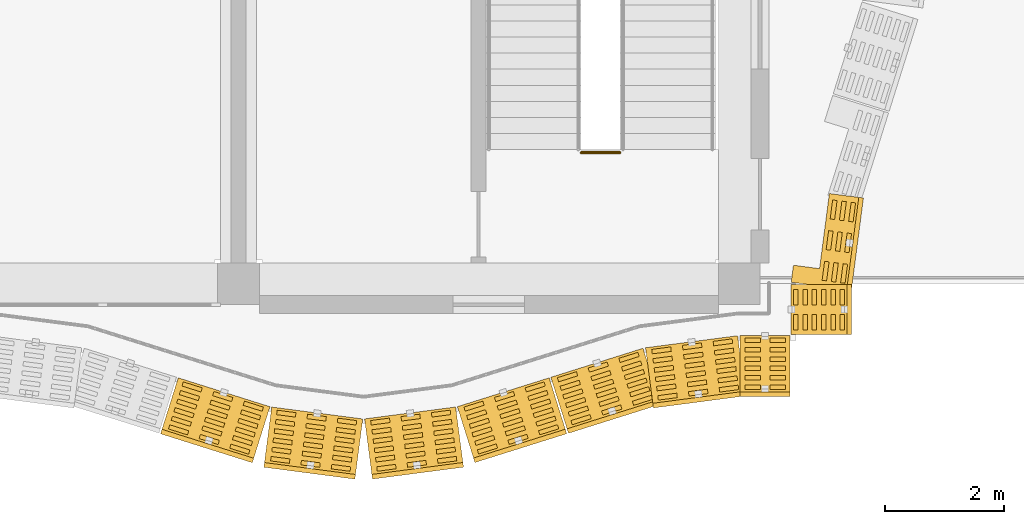
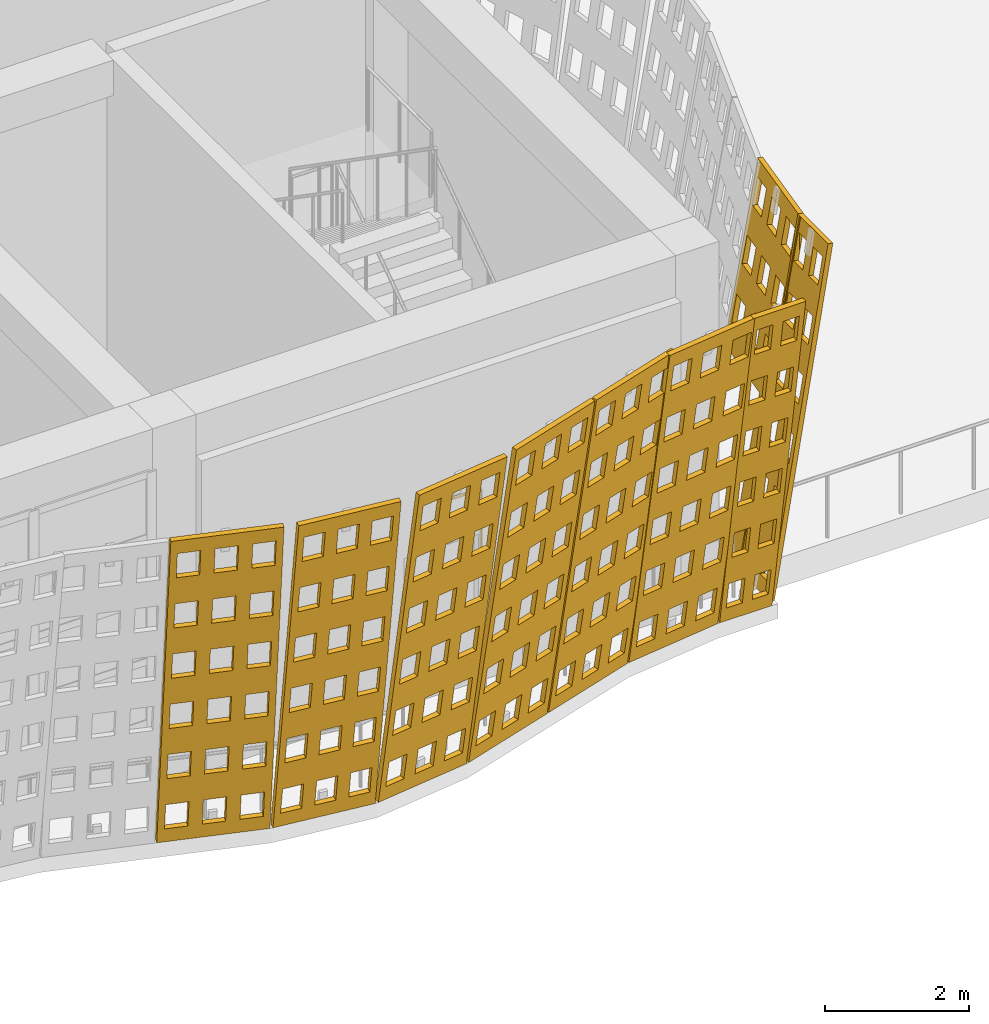
# One storey, part 154 of 210: 9 coverings, 1 railing.
"""IFC4 building model written with IfcOpenShell, lengths in metres."""

import ifcopenshell
import ifcopenshell.guid

model = None  # the IFC model being written
_history = None  # IfcOwnerHistory: only IFC2X3 demands one
_inside = {}  # id of a spatial element -> (the spatial element, [elements in it])
_under = {}  # id of a project, library or spatial element -> (it, [spatial elements below it])
_declared = {}  # id of a project -> (the project, [libraries it declares])
_typed = {}  # id of a type object -> (the type object, [elements of that type])
_made_of = {}  # id of a material, layer set ... -> (it, [elements and type objects made of it])


def new_model(schema):
    """Start an empty IFC model of exactly this schema.

    Asked for "IFC4X3", IfcOpenShell would pick the latest addendum, in which some entities
    have other attributes; the version numbers below select the first issue.
    IFC2X3 requires an IfcOwnerHistory on every rooted entity: one is made here for all.
    """
    global model, _history
    if schema == "IFC4X3":
        model = ifcopenshell.file(schema_version=(4, 3, 0, 0))
    else:
        model = ifcopenshell.file(schema=schema)
    _inside.clear()
    _under.clear()
    _declared.clear()
    _typed.clear()
    _made_of.clear()
    _history = None
    if model.schema == "IFC2X3":
        org = make("IfcOrganization", Name="unknown")
        user = make(
            "IfcPersonAndOrganization",
            ThePerson=make("IfcPerson", FamilyName="unknown"),
            TheOrganization=org,
        )
        app = make(
            "IfcApplication",
            ApplicationDeveloper=org,
            Version="unknown",
            ApplicationFullName="unknown",
            ApplicationIdentifier="unknown",
        )
        _history = make(
            "IfcOwnerHistory",
            OwningUser=user,
            OwningApplication=app,
            ChangeAction="ADDED",
            CreationDate=0,
        )
    return model


def make(cls, **values):
    """One entity of the class cls with the attributes given. An attribute that is None is left unset."""
    return model.create_entity(
        cls, **{name: value for name, value in values.items() if value is not None}
    )


def rooted(cls, **values):
    """An entity with a GlobalId (a new one), such as an element, a storey or a relation."""
    return make(cls, GlobalId=ifcopenshell.guid.new(), OwnerHistory=_history, **values)


def si_unit(unit_type, name, prefix=None):
    """IfcSIUnit, for example si_unit("LENGTHUNIT", "METRE", prefix="MILLI")."""
    return make("IfcSIUnit", UnitType=unit_type, Prefix=prefix, Name=name)


def assignment(units):
    """IfcUnitAssignment: the units of a project."""
    return None if units is None else make("IfcUnitAssignment", Units=units)


def point(xyz):
    """IfcCartesianPoint."""
    return None if xyz is None else make("IfcCartesianPoint", Coordinates=xyz)


def direction(xyz):
    """IfcDirection."""
    return None if xyz is None else make("IfcDirection", DirectionRatios=xyz)


def frame(location, z_axis=None, x_axis=None):
    """IfcAxis2Placement3D, a coordinate frame: its origin and axes. An axis left out is left unset."""
    return make(
        "IfcAxis2Placement3D",
        Location=point(location),
        Axis=direction(z_axis),
        RefDirection=direction(x_axis),
    )


def frame_2d(location, x_axis=None):
    """IfcAxis2Placement2D, a coordinate frame in the plane: its origin and x axis."""
    return make(
        "IfcAxis2Placement2D", Location=point(location), RefDirection=direction(x_axis)
    )


def origin():
    """The frame at (0, 0, 0) with its axes left unset."""
    return frame((0.0, 0.0, 0.0))


def origin_2d():
    """The frame at (0, 0) in the plane with its x axis left unset."""
    return frame_2d((0.0, 0.0))


def place(relative_to, where):
    """IfcLocalPlacement: puts the frame where relative to a parent placement (None: the world)."""
    return make(
        "IfcLocalPlacement", PlacementRelTo=relative_to, RelativePlacement=where
    )


def context(
    kind, dimensions, precision=None, world=None, true_north=None, identifier=None
):
    """IfcGeometricRepresentationContext, for example the 3D "Model" context."""
    return make(
        "IfcGeometricRepresentationContext",
        ContextIdentifier=identifier,
        ContextType=kind,
        CoordinateSpaceDimension=dimensions,
        Precision=precision,
        WorldCoordinateSystem=world,
        TrueNorth=true_north,
    )


def subcontext(parent, identifier, kind, view, scale=None):
    """IfcGeometricRepresentationSubContext, for example "Body" below "Model"."""
    return make(
        "IfcGeometricRepresentationSubContext",
        ContextIdentifier=identifier,
        ContextType=kind,
        ParentContext=parent,
        TargetScale=scale,
        TargetView=view,
    )


def project(units=None, contexts=None):
    """IfcProject with its units and contexts."""
    return rooted(
        "IfcProject",
        Name="project",
        RepresentationContexts=contexts,
        UnitsInContext=assignment(units),
    )


def spatial(cls, under=None, at=None, **own):
    """A site, building, storey or space (cls), placed at a placement, below another one or the project."""
    s = rooted(cls, ObjectPlacement=at, **own)
    if under is not None:
        _under.setdefault(under.id(), (under, []))[1].append(s)
    return s


def polyline(points):
    """IfcPolyline through the points."""
    return make("IfcPolyline", Points=[point(p) for p in points])


def profile(cls, at=None, kind="AREA", **sizes):
    """A parametric profile (cls). Its sizes go by their IFC names, for example OverallWidth=200.0."""
    return make(cls, ProfileType=kind, Position=at, **sizes)


def circle(**sizes):
    """IfcCircleProfileDef."""
    return profile("IfcCircleProfileDef", **sizes)


def outline(outer, holes=None, kind="AREA"):
    """IfcArbitraryClosedProfileDef: a profile drawn as a closed curve; with holes, ...WithVoids."""
    if holes is None:
        return make("IfcArbitraryClosedProfileDef", ProfileType=kind, OuterCurve=outer)
    return make(
        "IfcArbitraryProfileDefWithVoids",
        ProfileType=kind,
        OuterCurve=outer,
        InnerCurves=holes,
    )


def extrude(swept, where, along, depth):
    """IfcExtrudedAreaSolid: the profile swept, set in the frame where, extruded along a direction by depth."""
    return make(
        "IfcExtrudedAreaSolid",
        SweptArea=swept,
        Position=where,
        ExtrudedDirection=direction(along),
        Depth=depth,
    )


def shape(context_of_items, identifier, shape_type, items):
    """IfcShapeRepresentation: the items that make up one representation, for example the "Body"."""
    return make(
        "IfcShapeRepresentation",
        ContextOfItems=context_of_items,
        RepresentationIdentifier=identifier,
        RepresentationType=shape_type,
        Items=items,
    )


def material(Name=None, Category=None):
    """IfcMaterial."""
    return make("IfcMaterial", Name=Name, Category=Category)


def layer(
    of_material, thickness, ventilated=None, Name=None, Category=None, Priority=None
):
    """IfcMaterialLayer: one layer of a wall or slab, of a material (None: an air gap)."""
    return make(
        "IfcMaterialLayer",
        Material=of_material,
        LayerThickness=thickness,
        IsVentilated=ventilated,
        Name=Name,
        Category=Category,
        Priority=Priority,
    )


def layer_set(layers, Name=None):
    """IfcMaterialLayerSet."""
    return make("IfcMaterialLayerSet", MaterialLayers=layers, LayerSetName=Name)


def made_of(thing, what):
    """Note that an element or type object is made of a material, layer set ...; save() writes the relation."""
    if what is not None:
        _made_of.setdefault(what.id(), (what, []))[1].append(thing)
    return thing


def type_object(cls, material=None, **own):
    """A type object (cls), such as IfcWallType, which elements share."""
    return made_of(rooted(cls, **own), material)


def element(
    cls,
    number,
    at=None,
    inside=None,
    cuts=None,
    type_object=None,
    material=None,
    context=None,
    identifier="Body",
    shape_type=None,
    held_by="IfcProductDefinitionShape",
    body=None,
    shapes=None,
    **own,
):
    """One element of the class cls, such as IfcWall. Its Tag is "e" and its number.

    at: its placement. inside: the storey or other place that contains it. cuts: it is an
    opening in that element (IfcRelVoidsElement). A single representation is given by context,
    identifier, shape_type and body (its items); several are given by shapes. held_by: the class
    of the entity that holds the representations. save() writes the other relations.
    """
    e = rooted(cls, Tag="e%d" % number, ObjectPlacement=at, **own)
    if body is not None:
        shapes = [shape(context, identifier, shape_type, body)]
    if shapes is not None:
        e.Representation = make(held_by, Representations=shapes)
    if inside is not None:
        _inside.setdefault(inside.id(), (inside, []))[1].append(e)
    if cuts is not None:
        rooted(
            "IfcRelVoidsElement", RelatingBuildingElement=cuts, RelatedOpeningElement=e
        )
    if type_object is not None:
        _typed.setdefault(type_object.id(), (type_object, []))[1].append(e)
    return made_of(e, material)


def aggregate(whole, parts):
    """IfcRelAggregates: a whole, such as a stair, and the parts it consists of."""
    return rooted("IfcRelAggregates", RelatingObject=whole, RelatedObjects=parts)


def save(model, path):
    """Write the relations noted so far, then the file.

    IfcRelAggregates (storeys below a building ...), IfcRelContainedInSpatialStructure (elements
    in a storey), IfcRelDefinesByType, IfcRelAssociatesMaterial and IfcRelDeclares: one each for
    every whole, place, type object, material and project.
    """
    for whole, parts in _under.values():
        aggregate(whole, parts)
    for where, things in _inside.values():
        rooted(
            "IfcRelContainedInSpatialStructure",
            RelatedElements=things,
            RelatingStructure=where,
        )
    for kind, things in _typed.values():
        rooted("IfcRelDefinesByType", RelatedObjects=things, RelatingType=kind)
    for what, things in _made_of.values():
        rooted("IfcRelAssociatesMaterial", RelatedObjects=things, RelatingMaterial=what)
    for by, libraries in _declared.values():
        rooted("IfcRelDeclares", RelatingContext=by, RelatedDefinitions=libraries)
    model.write(path)


model = new_model("IFC4")

# Units and contexts
model_context = context("Model", 3, precision=1e-05, world=origin(), true_north=direction((0.0, 1.0)))
body_context = subcontext(model_context, "Body", "Model", "MODEL_VIEW")
ifc_project = project(units=[si_unit("LENGTHUNIT", "METRE"), si_unit("AREAUNIT", "SQUARE_METRE"), si_unit("VOLUMEUNIT", "CUBIC_METRE"), si_unit("PLANEANGLEUNIT", "RADIAN"), si_unit("MASSUNIT", "GRAM", prefix="KILO")], contexts=[model_context])

# Site, building, storey
site_placement = place(None, origin())
site = spatial("IfcSite", under=ifc_project, at=site_placement, CompositionType="ELEMENT")
building_placement = place(site_placement, origin())
building = spatial("IfcBuilding", under=site, at=building_placement, Name="Rain Tree Exposition and Congress Centre", CompositionType="ELEMENT")
storey_placement = place(building_placement, origin())
storey = spatial("IfcBuildingStorey", under=building, at=storey_placement, Name="L00", CompositionType="ELEMENT", Elevation=0.0)

# Coverings
ifc_material_1 = material(Name="Perforated terracotta", Category="masonry")
ifc_layer = layer(ifc_material_1, 0.080078125)
ifc_layer_set = layer_set([ifc_layer], Name="Perforated terracotta")
covering_type = type_object("IfcCoveringType", Name="Terracotta screen 80", PredefinedType="CLADDING", material=ifc_layer_set)
covering_1_placement = place(storey_placement, frame((40.949951171875, -1.64990234375, 0.0), z_axis=(0.296712403937, 0.94213835477, 0.156003428874), x_axis=(-0.953816392794, 0.300390227601, 0.0)))
element("IfcCovering", 1, at=covering_1_placement, inside=storey, type_object=covering_type, Name="wing/screen/L00/027", PredefinedType="CLADDING", context=body_context, shape_type="SweptSolid", body=[
    extrude(outline(polyline([(-1.62890625, 0.0), (-1.62890625, 5.808349609375), (-0.014892578125, 5.808349609375), (-0.014892578125, 0.0), (-1.62890625, 0.0)]), holes=[polyline([(-0.1171875, 0.249755859375), (-0.1171875, 0.71826171875), (-0.45068359375, 0.71826171875), (-0.45068359375, 0.249755859375), (-0.1171875, 0.249755859375)]), polyline([(-0.1171875, 1.218017578125), (-0.1171875, 1.686279296875), (-0.45068359375, 1.686279296875), (-0.45068359375, 1.218017578125), (-0.1171875, 1.218017578125)]), polyline([(-0.1171875, 2.18603515625), (-0.1171875, 2.654296875), (-0.45068359375, 2.654296875), (-0.45068359375, 2.18603515625), (-0.1171875, 2.18603515625)]), polyline([(-0.1171875, 3.154052734375), (-0.1171875, 3.62255859375), (-0.45068359375, 3.62255859375), (-0.45068359375, 3.154052734375), (-0.1171875, 3.154052734375)]), polyline([(-0.1171875, 4.1220703125), (-0.1171875, 4.590576171875), (-0.45068359375, 4.590576171875), (-0.45068359375, 4.1220703125), (-0.1171875, 4.1220703125)]), polyline([(-0.1171875, 5.090087890625), (-0.1171875, 5.55859375), (-0.45068359375, 5.55859375), (-0.45068359375, 5.090087890625), (-0.1171875, 5.090087890625)]), polyline([(-0.6552734375, 0.249755859375), (-0.6552734375, 0.71826171875), (-0.98876953125, 0.71826171875), (-0.98876953125, 0.249755859375), (-0.6552734375, 0.249755859375)]), polyline([(-0.6552734375, 1.218017578125), (-0.6552734375, 1.686279296875), (-0.98876953125, 1.686279296875), (-0.98876953125, 1.218017578125), (-0.6552734375, 1.218017578125)]), polyline([(-0.6552734375, 2.18603515625), (-0.6552734375, 2.654296875), (-0.98876953125, 2.654296875), (-0.98876953125, 2.18603515625), (-0.6552734375, 2.18603515625)]), polyline([(-0.6552734375, 3.154052734375), (-0.6552734375, 3.62255859375), (-0.98876953125, 3.62255859375), (-0.98876953125, 3.154052734375), (-0.6552734375, 3.154052734375)]), polyline([(-0.6552734375, 4.1220703125), (-0.6552734375, 4.590576171875), (-0.98876953125, 4.590576171875), (-0.98876953125, 4.1220703125), (-0.6552734375, 4.1220703125)]), polyline([(-0.6552734375, 5.090087890625), (-0.6552734375, 5.55859375), (-0.98876953125, 5.55859375), (-0.98876953125, 5.090087890625), (-0.6552734375, 5.090087890625)]), polyline([(-1.193115234375, 0.249755859375), (-1.193115234375, 0.71826171875), (-1.526611328125, 0.71826171875), (-1.526611328125, 0.249755859375), (-1.193115234375, 0.249755859375)]), polyline([(-1.193115234375, 1.218017578125), (-1.193115234375, 1.686279296875), (-1.526611328125, 1.686279296875), (-1.526611328125, 1.218017578125), (-1.193115234375, 1.218017578125)]), polyline([(-1.193115234375, 2.18603515625), (-1.193115234375, 2.654296875), (-1.526611328125, 2.654296875), (-1.526611328125, 2.18603515625), (-1.193115234375, 2.18603515625)]), polyline([(-1.193115234375, 3.154052734375), (-1.193115234375, 3.62255859375), (-1.526611328125, 3.62255859375), (-1.526611328125, 3.154052734375), (-1.193115234375, 3.154052734375)]), polyline([(-1.193115234375, 4.1220703125), (-1.193115234375, 4.590576171875), (-1.526611328125, 4.590576171875), (-1.526611328125, 4.1220703125), (-1.193115234375, 4.1220703125)]), polyline([(-1.193115234375, 5.090087890625), (-1.193115234375, 5.55859375), (-1.526611328125, 5.55859375), (-1.526611328125, 5.090087890625), (-1.193115234375, 5.090087890625)])]), origin(), (0.0, 0.0, 1.0), 0.079833984375),
])
covering_2_placement = place(storey_placement, frame((42.52490234375, -2.14501953125, 0.0), z_axis=(0.1280309309, 0.978522114732, 0.161562841373), x_axis=(-0.991548658387, 0.129735338481, 0.0)))
element("IfcCovering", 2, at=covering_2_placement, inside=storey, type_object=covering_type, Name="wing/screen/L00/028", PredefinedType="CLADDING", context=body_context, shape_type="SweptSolid", body=[
    extrude(outline(polyline([(-1.56298828125, 0.0), (-1.56298828125, 5.813720703125), (-0.02197265625, 5.813720703125), (-0.02197265625, 0.0), (-1.56298828125, 0.0)]), holes=[polyline([(-0.11962890625, 0.25), (-0.11962890625, 0.718994140625), (-0.43798828125, 0.718994140625), (-0.43798828125, 0.25), (-0.11962890625, 0.25)]), polyline([(-0.11962890625, 1.218994140625), (-0.11962890625, 1.687744140625), (-0.43798828125, 1.687744140625), (-0.43798828125, 1.218994140625), (-0.11962890625, 1.218994140625)]), polyline([(-0.11962890625, 2.18798828125), (-0.11962890625, 2.65673828125), (-0.43798828125, 2.65673828125), (-0.43798828125, 2.18798828125), (-0.11962890625, 2.18798828125)]), polyline([(-0.11962890625, 3.15673828125), (-0.11962890625, 3.625732421875), (-0.43798828125, 3.625732421875), (-0.43798828125, 3.15673828125), (-0.11962890625, 3.15673828125)]), polyline([(-0.11962890625, 4.125732421875), (-0.11962890625, 4.594482421875), (-0.43798828125, 4.594482421875), (-0.43798828125, 4.125732421875), (-0.11962890625, 4.125732421875)]), polyline([(-0.11962890625, 5.0947265625), (-0.11962890625, 5.5634765625), (-0.43798828125, 5.5634765625), (-0.43798828125, 5.0947265625), (-0.11962890625, 5.0947265625)]), polyline([(-0.63330078125, 0.25), (-0.63330078125, 0.718994140625), (-0.95166015625, 0.718994140625), (-0.95166015625, 0.25), (-0.63330078125, 0.25)]), polyline([(-0.63330078125, 1.218994140625), (-0.63330078125, 1.687744140625), (-0.95166015625, 1.687744140625), (-0.95166015625, 1.218994140625), (-0.63330078125, 1.218994140625)]), polyline([(-0.63330078125, 2.18798828125), (-0.63330078125, 2.65673828125), (-0.95166015625, 2.65673828125), (-0.95166015625, 2.18798828125), (-0.63330078125, 2.18798828125)]), polyline([(-0.63330078125, 3.15673828125), (-0.63330078125, 3.625732421875), (-0.95166015625, 3.625732421875), (-0.95166015625, 3.15673828125), (-0.63330078125, 3.15673828125)]), polyline([(-0.63330078125, 4.125732421875), (-0.63330078125, 4.594482421875), (-0.95166015625, 4.594482421875), (-0.95166015625, 4.125732421875), (-0.63330078125, 4.125732421875)]), polyline([(-0.63330078125, 5.0947265625), (-0.63330078125, 5.5634765625), (-0.95166015625, 5.5634765625), (-0.95166015625, 5.0947265625), (-0.63330078125, 5.0947265625)]), polyline([(-1.146728515625, 0.25), (-1.146728515625, 0.718994140625), (-1.46533203125, 0.718994140625), (-1.46533203125, 0.25), (-1.146728515625, 0.25)]), polyline([(-1.146728515625, 1.218994140625), (-1.146728515625, 1.687744140625), (-1.46533203125, 1.687744140625), (-1.46533203125, 1.218994140625), (-1.146728515625, 1.218994140625)]), polyline([(-1.146728515625, 2.18798828125), (-1.146728515625, 2.65673828125), (-1.46533203125, 2.65673828125), (-1.46533203125, 2.18798828125), (-1.146728515625, 2.18798828125)]), polyline([(-1.146728515625, 3.15673828125), (-1.146728515625, 3.625732421875), (-1.46533203125, 3.625732421875), (-1.46533203125, 3.15673828125), (-1.146728515625, 3.15673828125)]), polyline([(-1.146728515625, 4.125732421875), (-1.146728515625, 4.594482421875), (-1.46533203125, 4.594482421875), (-1.46533203125, 4.125732421875), (-1.146728515625, 4.125732421875)]), polyline([(-1.146728515625, 5.0947265625), (-1.146728515625, 5.5634765625), (-1.46533203125, 5.5634765625), (-1.46533203125, 5.0947265625), (-1.146728515625, 5.0947265625)])]), origin(), (0.0, 0.0, 1.0), 0.080078125),
])
covering_3_placement = place(storey_placement, frame((44.10009765625, -2.35009765625, 0.0), z_axis=(-0.1280309309, 0.978522114732, 0.161562841373), x_axis=(-0.991548658387, -0.129735338481, 0.0)))
element("IfcCovering", 3, at=covering_3_placement, inside=storey, type_object=covering_type, Name="wing/screen/L00/029", PredefinedType="CLADDING", context=body_context, shape_type="SweptSolid", body=[
    extrude(outline(polyline([(-1.56640625, 0.0), (-1.56640625, 5.813720703125), (-0.025390625, 5.813720703125), (-0.025390625, 0.0), (-1.56640625, 0.0)]), holes=[polyline([(-0.123046875, 0.25), (-0.123046875, 0.718994140625), (-0.44140625, 0.718994140625), (-0.44140625, 0.25), (-0.123046875, 0.25)]), polyline([(-0.123046875, 1.218994140625), (-0.123046875, 1.687744140625), (-0.44140625, 1.687744140625), (-0.44140625, 1.218994140625), (-0.123046875, 1.218994140625)]), polyline([(-0.123046875, 2.18798828125), (-0.123046875, 2.65673828125), (-0.44140625, 2.65673828125), (-0.44140625, 2.18798828125), (-0.123046875, 2.18798828125)]), polyline([(-0.123046875, 3.15673828125), (-0.123046875, 3.625732421875), (-0.44140625, 3.625732421875), (-0.44140625, 3.15673828125), (-0.123046875, 3.15673828125)]), polyline([(-0.123046875, 4.125732421875), (-0.123046875, 4.594482421875), (-0.44140625, 4.594482421875), (-0.44140625, 4.125732421875), (-0.123046875, 4.125732421875)]), polyline([(-0.123046875, 5.0947265625), (-0.123046875, 5.5634765625), (-0.44140625, 5.5634765625), (-0.44140625, 5.0947265625), (-0.123046875, 5.0947265625)]), polyline([(-0.63671875, 0.25), (-0.63671875, 0.718994140625), (-0.955078125, 0.718994140625), (-0.955078125, 0.25), (-0.63671875, 0.25)]), polyline([(-0.63671875, 1.218994140625), (-0.63671875, 1.687744140625), (-0.955078125, 1.687744140625), (-0.955078125, 1.218994140625), (-0.63671875, 1.218994140625)]), polyline([(-0.63671875, 2.18798828125), (-0.63671875, 2.65673828125), (-0.955078125, 2.65673828125), (-0.955078125, 2.18798828125), (-0.63671875, 2.18798828125)]), polyline([(-0.63671875, 3.15673828125), (-0.63671875, 3.625732421875), (-0.955078125, 3.625732421875), (-0.955078125, 3.15673828125), (-0.63671875, 3.15673828125)]), polyline([(-0.63671875, 4.125732421875), (-0.63671875, 4.594482421875), (-0.955078125, 4.594482421875), (-0.955078125, 4.125732421875), (-0.63671875, 4.125732421875)]), polyline([(-0.63671875, 5.0947265625), (-0.63671875, 5.5634765625), (-0.955078125, 5.5634765625), (-0.955078125, 5.0947265625), (-0.63671875, 5.0947265625)]), polyline([(-1.150146484375, 0.25), (-1.150146484375, 0.718994140625), (-1.46875, 0.718994140625), (-1.46875, 0.25), (-1.150146484375, 0.25)]), polyline([(-1.150146484375, 1.218994140625), (-1.150146484375, 1.687744140625), (-1.46875, 1.687744140625), (-1.46875, 1.218994140625), (-1.150146484375, 1.218994140625)]), polyline([(-1.150146484375, 2.18798828125), (-1.150146484375, 2.65673828125), (-1.46875, 2.65673828125), (-1.46875, 2.18798828125), (-1.150146484375, 2.18798828125)]), polyline([(-1.150146484375, 3.15673828125), (-1.150146484375, 3.625732421875), (-1.46875, 3.625732421875), (-1.46875, 3.15673828125), (-1.150146484375, 3.15673828125)]), polyline([(-1.150146484375, 4.125732421875), (-1.150146484375, 4.594482421875), (-1.46875, 4.594482421875), (-1.46875, 4.125732421875), (-1.150146484375, 4.125732421875)]), polyline([(-1.150146484375, 5.0947265625), (-1.150146484375, 5.5634765625), (-1.46875, 5.5634765625), (-1.46875, 5.0947265625), (-1.150146484375, 5.0947265625)])]), origin(), (0.0, 0.0, 1.0), 0.080078125),
])
covering_4_placement = place(storey_placement, frame((45.675048828125, -2.14501953125, 0.0), z_axis=(-0.295859611525, 0.942480618158, 0.155555053482), x_axis=(-0.954094597562, -0.29950542383, 0.0)))
element("IfcCovering", 4, at=covering_4_placement, inside=storey, type_object=covering_type, Name="wing/screen/L00/030", PredefinedType="CLADDING", context=body_context, shape_type="SweptSolid", body=[
    extrude(outline(polyline([(-1.635986328125, 0.0), (-1.635986328125, 5.808349609375), (-0.02197265625, 5.808349609375), (-0.02197265625, 0.0), (-1.635986328125, 0.0)]), holes=[polyline([(-0.124267578125, 0.249755859375), (-0.124267578125, 0.71826171875), (-0.457763671875, 0.71826171875), (-0.457763671875, 0.249755859375), (-0.124267578125, 0.249755859375)]), polyline([(-0.124267578125, 1.218017578125), (-0.124267578125, 1.686279296875), (-0.457763671875, 1.686279296875), (-0.457763671875, 1.218017578125), (-0.124267578125, 1.218017578125)]), polyline([(-0.124267578125, 2.18603515625), (-0.124267578125, 2.654296875), (-0.457763671875, 2.654296875), (-0.457763671875, 2.18603515625), (-0.124267578125, 2.18603515625)]), polyline([(-0.124267578125, 3.154052734375), (-0.124267578125, 3.62255859375), (-0.457763671875, 3.62255859375), (-0.457763671875, 3.154052734375), (-0.124267578125, 3.154052734375)]), polyline([(-0.124267578125, 4.1220703125), (-0.124267578125, 4.590576171875), (-0.457763671875, 4.590576171875), (-0.457763671875, 4.1220703125), (-0.124267578125, 4.1220703125)]), polyline([(-0.124267578125, 5.090087890625), (-0.124267578125, 5.55859375), (-0.457763671875, 5.55859375), (-0.457763671875, 5.090087890625), (-0.124267578125, 5.090087890625)]), polyline([(-0.662109375, 0.249755859375), (-0.662109375, 0.71826171875), (-0.995849609375, 0.71826171875), (-0.995849609375, 0.249755859375), (-0.662109375, 0.249755859375)]), polyline([(-0.662109375, 1.218017578125), (-0.662109375, 1.686279296875), (-0.995849609375, 1.686279296875), (-0.995849609375, 1.218017578125), (-0.662109375, 1.218017578125)]), polyline([(-0.662109375, 2.18603515625), (-0.662109375, 2.654296875), (-0.995849609375, 2.654296875), (-0.995849609375, 2.18603515625), (-0.662109375, 2.18603515625)]), polyline([(-0.662109375, 3.154052734375), (-0.662109375, 3.62255859375), (-0.995849609375, 3.62255859375), (-0.995849609375, 3.154052734375), (-0.662109375, 3.154052734375)]), polyline([(-0.662109375, 4.1220703125), (-0.662109375, 4.590576171875), (-0.995849609375, 4.590576171875), (-0.995849609375, 4.1220703125), (-0.662109375, 4.1220703125)]), polyline([(-0.662109375, 5.090087890625), (-0.662109375, 5.55859375), (-0.995849609375, 5.55859375), (-0.995849609375, 5.090087890625), (-0.662109375, 5.090087890625)]), polyline([(-1.2001953125, 0.249755859375), (-1.2001953125, 0.71826171875), (-1.53369140625, 0.71826171875), (-1.53369140625, 0.249755859375), (-1.2001953125, 0.249755859375)]), polyline([(-1.2001953125, 1.218017578125), (-1.2001953125, 1.686279296875), (-1.53369140625, 1.686279296875), (-1.53369140625, 1.218017578125), (-1.2001953125, 1.218017578125)]), polyline([(-1.2001953125, 2.18603515625), (-1.2001953125, 2.654296875), (-1.53369140625, 2.654296875), (-1.53369140625, 2.18603515625), (-1.2001953125, 2.18603515625)]), polyline([(-1.2001953125, 3.154052734375), (-1.2001953125, 3.62255859375), (-1.53369140625, 3.62255859375), (-1.53369140625, 3.154052734375), (-1.2001953125, 3.154052734375)]), polyline([(-1.2001953125, 4.1220703125), (-1.2001953125, 4.590576171875), (-1.53369140625, 4.590576171875), (-1.53369140625, 4.1220703125), (-1.2001953125, 4.1220703125)]), polyline([(-1.2001953125, 5.090087890625), (-1.2001953125, 5.55859375), (-1.53369140625, 5.55859375), (-1.53369140625, 5.090087890625), (-1.2001953125, 5.090087890625)])]), origin(), (0.0, 0.0, 1.0), 0.080078125),
])
covering_5_placement = place(storey_placement, frame((47.25, -1.64990234375, 0.0), z_axis=(-0.296712403937, 0.94213835477, 0.156003428874), x_axis=(-0.953816392794, -0.300390227601, 0.0)))
element("IfcCovering", 5, at=covering_5_placement, inside=storey, type_object=covering_type, Name="wing/screen/L00/031", PredefinedType="CLADDING", context=body_context, shape_type="SweptSolid", body=[
    extrude(outline(polyline([(-1.635986328125, 0.0), (-1.635986328125, 5.808349609375), (-0.014892578125, 5.808349609375), (-0.014892578125, 0.0), (-1.635986328125, 0.0)]), holes=[polyline([(-0.11767578125, 0.249755859375), (-0.11767578125, 0.71826171875), (-0.45263671875, 0.71826171875), (-0.45263671875, 0.249755859375), (-0.11767578125, 0.249755859375)]), polyline([(-0.11767578125, 1.218017578125), (-0.11767578125, 1.686279296875), (-0.45263671875, 1.686279296875), (-0.45263671875, 1.218017578125), (-0.11767578125, 1.218017578125)]), polyline([(-0.11767578125, 2.18603515625), (-0.11767578125, 2.654296875), (-0.45263671875, 2.654296875), (-0.45263671875, 2.18603515625), (-0.11767578125, 2.18603515625)]), polyline([(-0.11767578125, 3.154052734375), (-0.11767578125, 3.62255859375), (-0.45263671875, 3.62255859375), (-0.45263671875, 3.154052734375), (-0.11767578125, 3.154052734375)]), polyline([(-0.11767578125, 4.1220703125), (-0.11767578125, 4.590576171875), (-0.45263671875, 4.590576171875), (-0.45263671875, 4.1220703125), (-0.11767578125, 4.1220703125)]), polyline([(-0.11767578125, 5.090087890625), (-0.11767578125, 5.55859375), (-0.45263671875, 5.55859375), (-0.45263671875, 5.090087890625), (-0.11767578125, 5.090087890625)]), polyline([(-0.657958984375, 0.249755859375), (-0.657958984375, 0.71826171875), (-0.992919921875, 0.71826171875), (-0.992919921875, 0.249755859375), (-0.657958984375, 0.249755859375)]), polyline([(-0.657958984375, 1.218017578125), (-0.657958984375, 1.686279296875), (-0.992919921875, 1.686279296875), (-0.992919921875, 1.218017578125), (-0.657958984375, 1.218017578125)]), polyline([(-0.657958984375, 2.18603515625), (-0.657958984375, 2.654296875), (-0.992919921875, 2.654296875), (-0.992919921875, 2.18603515625), (-0.657958984375, 2.18603515625)]), polyline([(-0.657958984375, 3.154052734375), (-0.657958984375, 3.62255859375), (-0.992919921875, 3.62255859375), (-0.992919921875, 3.154052734375), (-0.657958984375, 3.154052734375)]), polyline([(-0.657958984375, 4.1220703125), (-0.657958984375, 4.590576171875), (-0.992919921875, 4.590576171875), (-0.992919921875, 4.1220703125), (-0.657958984375, 4.1220703125)]), polyline([(-0.657958984375, 5.090087890625), (-0.657958984375, 5.55859375), (-0.992919921875, 5.55859375), (-0.992919921875, 5.090087890625), (-0.657958984375, 5.090087890625)]), polyline([(-1.1982421875, 0.249755859375), (-1.1982421875, 0.71826171875), (-1.533203125, 0.71826171875), (-1.533203125, 0.249755859375), (-1.1982421875, 0.249755859375)]), polyline([(-1.1982421875, 1.218017578125), (-1.1982421875, 1.686279296875), (-1.533203125, 1.686279296875), (-1.533203125, 1.218017578125), (-1.1982421875, 1.218017578125)]), polyline([(-1.1982421875, 2.18603515625), (-1.1982421875, 2.654296875), (-1.533203125, 2.654296875), (-1.533203125, 2.18603515625), (-1.1982421875, 2.18603515625)]), polyline([(-1.1982421875, 3.154052734375), (-1.1982421875, 3.62255859375), (-1.533203125, 3.62255859375), (-1.533203125, 3.154052734375), (-1.1982421875, 3.154052734375)]), polyline([(-1.1982421875, 4.1220703125), (-1.1982421875, 4.590576171875), (-1.533203125, 4.590576171875), (-1.533203125, 4.1220703125), (-1.1982421875, 4.1220703125)]), polyline([(-1.1982421875, 5.090087890625), (-1.1982421875, 5.55859375), (-1.533203125, 5.55859375), (-1.533203125, 5.090087890625), (-1.1982421875, 5.090087890625)])]), origin(), (0.0, 0.0, 1.0), 0.079833984375),
])
covering_6_placement = place(storey_placement, frame((48.824951171875, -1.155029296875, 0.0), z_axis=(-0.1280309309, 0.978522114732, 0.161562841373), x_axis=(-0.991548658387, -0.129735338481, 0.0)))
element("IfcCovering", 6, at=covering_6_placement, inside=storey, type_object=covering_type, Name="wing/screen/L00/032", PredefinedType="CLADDING", context=body_context, shape_type="SweptSolid", body=[
    extrude(outline(polyline([(-1.5732421875, 0.0), (-1.5732421875, 5.813720703125), (-0.014892578125, 5.813720703125), (-0.014892578125, 0.0), (-1.5732421875, 0.0)]), holes=[polyline([(-0.11376953125, 0.25), (-0.11376953125, 0.718994140625), (-0.435791015625, 0.718994140625), (-0.435791015625, 0.25), (-0.11376953125, 0.25)]), polyline([(-0.11376953125, 1.218994140625), (-0.11376953125, 1.687744140625), (-0.435791015625, 1.687744140625), (-0.435791015625, 1.218994140625), (-0.11376953125, 1.218994140625)]), polyline([(-0.11376953125, 2.18798828125), (-0.11376953125, 2.65673828125), (-0.435791015625, 2.65673828125), (-0.435791015625, 2.18798828125), (-0.11376953125, 2.18798828125)]), polyline([(-0.11376953125, 3.15673828125), (-0.11376953125, 3.625732421875), (-0.435791015625, 3.625732421875), (-0.435791015625, 3.15673828125), (-0.11376953125, 3.15673828125)]), polyline([(-0.11376953125, 4.125732421875), (-0.11376953125, 4.594482421875), (-0.435791015625, 4.594482421875), (-0.435791015625, 4.125732421875), (-0.11376953125, 4.125732421875)]), polyline([(-0.11376953125, 5.0947265625), (-0.11376953125, 5.5634765625), (-0.435791015625, 5.5634765625), (-0.435791015625, 5.0947265625), (-0.11376953125, 5.0947265625)]), polyline([(-0.633056640625, 0.25), (-0.633056640625, 0.718994140625), (-0.955078125, 0.718994140625), (-0.955078125, 0.25), (-0.633056640625, 0.25)]), polyline([(-0.633056640625, 1.218994140625), (-0.633056640625, 1.687744140625), (-0.955078125, 1.687744140625), (-0.955078125, 1.218994140625), (-0.633056640625, 1.218994140625)]), polyline([(-0.633056640625, 2.18798828125), (-0.633056640625, 2.65673828125), (-0.955078125, 2.65673828125), (-0.955078125, 2.18798828125), (-0.633056640625, 2.18798828125)]), polyline([(-0.633056640625, 3.15673828125), (-0.633056640625, 3.625732421875), (-0.955078125, 3.625732421875), (-0.955078125, 3.15673828125), (-0.633056640625, 3.15673828125)]), polyline([(-0.633056640625, 4.125732421875), (-0.633056640625, 4.594482421875), (-0.955078125, 4.594482421875), (-0.955078125, 4.125732421875), (-0.633056640625, 4.125732421875)]), polyline([(-0.633056640625, 5.0947265625), (-0.633056640625, 5.5634765625), (-0.955078125, 5.5634765625), (-0.955078125, 5.0947265625), (-0.633056640625, 5.0947265625)]), polyline([(-1.152587890625, 0.25), (-1.152587890625, 0.718994140625), (-1.474609375, 0.718994140625), (-1.474609375, 0.25), (-1.152587890625, 0.25)]), polyline([(-1.152587890625, 1.218994140625), (-1.152587890625, 1.687744140625), (-1.474609375, 1.687744140625), (-1.474609375, 1.218994140625), (-1.152587890625, 1.218994140625)]), polyline([(-1.152587890625, 2.18798828125), (-1.152587890625, 2.65673828125), (-1.474609375, 2.65673828125), (-1.474609375, 2.18798828125), (-1.152587890625, 2.18798828125)]), polyline([(-1.152587890625, 3.15673828125), (-1.152587890625, 3.625732421875), (-1.474609375, 3.625732421875), (-1.474609375, 3.15673828125), (-1.152587890625, 3.15673828125)]), polyline([(-1.152587890625, 4.125732421875), (-1.152587890625, 4.594482421875), (-1.474609375, 4.594482421875), (-1.474609375, 4.125732421875), (-1.152587890625, 4.125732421875)]), polyline([(-1.152587890625, 5.0947265625), (-1.152587890625, 5.5634765625), (-1.474609375, 5.5634765625), (-1.474609375, 5.0947265625), (-1.152587890625, 5.0947265625)])]), origin(), (0.0, 0.0, 1.0), 0.080078125),
])
covering_7_placement = place(storey_placement, frame((50.39990234375, -0.949951171875, 0.0), z_axis=(0.0, 0.98680366745, 0.161921344814), x_axis=(-1.0, 0.0, 0.0)))
element("IfcCovering", 7, at=covering_7_placement, inside=storey, type_object=covering_type, Name="wing/screen/L00/033", PredefinedType="CLADDING", context=body_context, shape_type="SweptSolid", body=[
    extrude(outline(polyline([(-0.85498046875, 0.0), (-0.85498046875, 5.814697265625), (-0.014892578125, 5.814697265625), (-0.014892578125, 0.0), (-0.85498046875, 0.0)]), holes=[polyline([(-0.0947265625, 0.25), (-0.0947265625, 0.718994140625), (-0.355224609375, 0.718994140625), (-0.355224609375, 0.25), (-0.0947265625, 0.25)]), polyline([(-0.0947265625, 1.21923828125), (-0.0947265625, 1.688232421875), (-0.355224609375, 1.688232421875), (-0.355224609375, 1.21923828125), (-0.0947265625, 1.21923828125)]), polyline([(-0.0947265625, 2.1884765625), (-0.0947265625, 2.6572265625), (-0.355224609375, 2.6572265625), (-0.355224609375, 2.1884765625), (-0.0947265625, 2.1884765625)]), polyline([(-0.0947265625, 3.157470703125), (-0.0947265625, 3.62646484375), (-0.355224609375, 3.62646484375), (-0.355224609375, 3.157470703125), (-0.0947265625, 3.157470703125)]), polyline([(-0.0947265625, 4.126708984375), (-0.0947265625, 4.595458984375), (-0.355224609375, 4.595458984375), (-0.355224609375, 4.126708984375), (-0.0947265625, 4.126708984375)]), polyline([(-0.0947265625, 5.095703125), (-0.0947265625, 5.564697265625), (-0.355224609375, 5.564697265625), (-0.355224609375, 5.095703125), (-0.0947265625, 5.095703125)]), polyline([(-0.514892578125, 0.25), (-0.514892578125, 0.718994140625), (-0.775146484375, 0.718994140625), (-0.775146484375, 0.25), (-0.514892578125, 0.25)]), polyline([(-0.514892578125, 1.21923828125), (-0.514892578125, 1.688232421875), (-0.775146484375, 1.688232421875), (-0.775146484375, 1.21923828125), (-0.514892578125, 1.21923828125)]), polyline([(-0.514892578125, 2.1884765625), (-0.514892578125, 2.6572265625), (-0.775146484375, 2.6572265625), (-0.775146484375, 2.1884765625), (-0.514892578125, 2.1884765625)]), polyline([(-0.514892578125, 3.157470703125), (-0.514892578125, 3.62646484375), (-0.775146484375, 3.62646484375), (-0.775146484375, 3.157470703125), (-0.514892578125, 3.157470703125)]), polyline([(-0.514892578125, 4.126708984375), (-0.514892578125, 4.595458984375), (-0.775146484375, 4.595458984375), (-0.775146484375, 4.126708984375), (-0.514892578125, 4.126708984375)]), polyline([(-0.514892578125, 5.095703125), (-0.514892578125, 5.564697265625), (-0.775146484375, 5.564697265625), (-0.775146484375, 5.095703125), (-0.514892578125, 5.095703125)])]), origin(), (0.0, 0.0, 1.0), 0.079833984375),
])
covering_8_placement = place(storey_placement, frame((51.35009765625, -0.949951171875, 0.0), z_axis=(-0.986883407383, 0.0, 0.161434631455), x_axis=(0.0, -1.0, 0.0)))
element("IfcCovering", 8, at=covering_8_placement, inside=storey, type_object=covering_type, Name="wing/screen/L00/034", PredefinedType="CLADDING", context=body_context, shape_type="SweptSolid", body=[
    extrude(outline(polyline([(-0.094970703125, 5.814697265625), (-0.094970703125, 0.0), (-0.93505859375, 0.0), (-0.93505859375, 5.814697265625), (-0.094970703125, 5.814697265625)]), holes=[polyline([(-0.1748046875, 0.25), (-0.1748046875, 0.718994140625), (-0.435302734375, 0.718994140625), (-0.435302734375, 0.25), (-0.1748046875, 0.25)]), polyline([(-0.1748046875, 1.21923828125), (-0.1748046875, 1.688232421875), (-0.435302734375, 1.688232421875), (-0.435302734375, 1.21923828125), (-0.1748046875, 1.21923828125)]), polyline([(-0.1748046875, 2.1884765625), (-0.1748046875, 2.6572265625), (-0.435302734375, 2.6572265625), (-0.435302734375, 2.1884765625), (-0.1748046875, 2.1884765625)]), polyline([(-0.1748046875, 3.157470703125), (-0.1748046875, 3.62646484375), (-0.435302734375, 3.62646484375), (-0.435302734375, 3.157470703125), (-0.1748046875, 3.157470703125)]), polyline([(-0.1748046875, 4.126708984375), (-0.1748046875, 4.595458984375), (-0.435302734375, 4.595458984375), (-0.435302734375, 4.126708984375), (-0.1748046875, 4.126708984375)]), polyline([(-0.1748046875, 5.095703125), (-0.1748046875, 5.564697265625), (-0.435302734375, 5.564697265625), (-0.435302734375, 5.095703125), (-0.1748046875, 5.095703125)]), polyline([(-0.5947265625, 0.25), (-0.5947265625, 0.718994140625), (-0.855224609375, 0.718994140625), (-0.855224609375, 0.25), (-0.5947265625, 0.25)]), polyline([(-0.5947265625, 1.21923828125), (-0.5947265625, 1.688232421875), (-0.855224609375, 1.688232421875), (-0.855224609375, 1.21923828125), (-0.5947265625, 1.21923828125)]), polyline([(-0.5947265625, 2.1884765625), (-0.5947265625, 2.6572265625), (-0.855224609375, 2.6572265625), (-0.855224609375, 2.1884765625), (-0.5947265625, 2.1884765625)]), polyline([(-0.5947265625, 3.157470703125), (-0.5947265625, 3.62646484375), (-0.855224609375, 3.62646484375), (-0.855224609375, 3.157470703125), (-0.5947265625, 3.157470703125)]), polyline([(-0.5947265625, 4.126708984375), (-0.5947265625, 4.595458984375), (-0.855224609375, 4.595458984375), (-0.855224609375, 4.126708984375), (-0.5947265625, 4.126708984375)]), polyline([(-0.5947265625, 5.095703125), (-0.5947265625, 5.564697265625), (-0.855224609375, 5.564697265625), (-0.855224609375, 5.095703125), (-0.5947265625, 5.095703125)])]), origin(), (0.0, 0.0, 1.0), 0.080078125),
])
covering_9_placement = place(storey_placement, frame((51.35009765625, 0.0, 0.0), z_axis=(-0.978522114732, 0.1280309309, 0.161562841373), x_axis=(-0.129735338481, -0.991548658387, 0.0)))
element("IfcCovering", 9, at=covering_9_placement, inside=storey, type_object=covering_type, Name="wing/screen/L00/035", PredefinedType="CLADDING", context=body_context, shape_type="SweptSolid", body=[
    extrude(outline(polyline([(-0.014892578125, 5.813720703125), (-0.014892578125, 0.0), (-0.302490234375, 0.0), (-0.302490234375, 2.736083984375), (-1.5732421875, 2.736083984375), (-1.5732421875, 5.813720703125), (-0.014892578125, 5.813720703125)]), holes=[polyline([(-0.11376953125, 3.15673828125), (-0.11376953125, 3.625732421875), (-0.435791015625, 3.625732421875), (-0.435791015625, 3.15673828125), (-0.11376953125, 3.15673828125)]), polyline([(-0.11376953125, 4.125732421875), (-0.11376953125, 4.594482421875), (-0.435791015625, 4.594482421875), (-0.435791015625, 4.125732421875), (-0.11376953125, 4.125732421875)]), polyline([(-0.11376953125, 5.0947265625), (-0.11376953125, 5.5634765625), (-0.435791015625, 5.5634765625), (-0.435791015625, 5.0947265625), (-0.11376953125, 5.0947265625)]), polyline([(-0.633056640625, 3.15673828125), (-0.633056640625, 3.625732421875), (-0.955078125, 3.625732421875), (-0.955078125, 3.15673828125), (-0.633056640625, 3.15673828125)]), polyline([(-0.633056640625, 4.125732421875), (-0.633056640625, 4.594482421875), (-0.955078125, 4.594482421875), (-0.955078125, 4.125732421875), (-0.633056640625, 4.125732421875)]), polyline([(-0.633056640625, 5.0947265625), (-0.633056640625, 5.5634765625), (-0.955078125, 5.5634765625), (-0.955078125, 5.0947265625), (-0.633056640625, 5.0947265625)]), polyline([(-1.152587890625, 3.15673828125), (-1.152587890625, 3.625732421875), (-1.474609375, 3.625732421875), (-1.474609375, 3.15673828125), (-1.152587890625, 3.15673828125)]), polyline([(-1.152587890625, 4.125732421875), (-1.152587890625, 4.594482421875), (-1.474609375, 4.594482421875), (-1.474609375, 4.125732421875), (-1.152587890625, 4.125732421875)]), polyline([(-1.152587890625, 5.0947265625), (-1.152587890625, 5.5634765625), (-1.474609375, 5.5634765625), (-1.474609375, 5.0947265625), (-1.152587890625, 5.0947265625)])]), origin(), (0.0, 0.0, 1.0), 0.080078125),
])

# Railing
ifc_material_2 = material(Name="Steel S355J2H", Category="steel")
railing_type = type_object("IfcRailingType", Name="Wing stair guard 1100", PredefinedType="GUARDRAIL", material=ifc_material_2)
railing_placement = place(storey_placement, frame((48.39990234375, 2.199951171875, 0.0)))
element("IfcRailing", 10, at=railing_placement, inside=storey, type_object=railing_type, Name="L00 ST-W2 stair guard 4", PredefinedType="GUARDRAIL", context=body_context, shape_type="SweptSolid", body=[
    extrude(circle(Radius=0.02392578125, at=origin_2d()), frame((0.0, 0.0, 1.076171875), z_axis=(-1.0, 0.0, 0.0), x_axis=(0.0, -1.0, 0.0)), (0.0, 0.0, 1.0), 0.64990234375),
    extrude(circle(Radius=0.02099609375, at=origin_2d()), origin(), (0.0, 0.0, 1.0), 1.052001953125),
    extrude(circle(Radius=0.02099609375, at=origin_2d()), frame((-0.64990234375, 0.0, 0.0)), (0.0, 0.0, 1.0), 1.052001953125),
])

save(model, "model.ifc")
